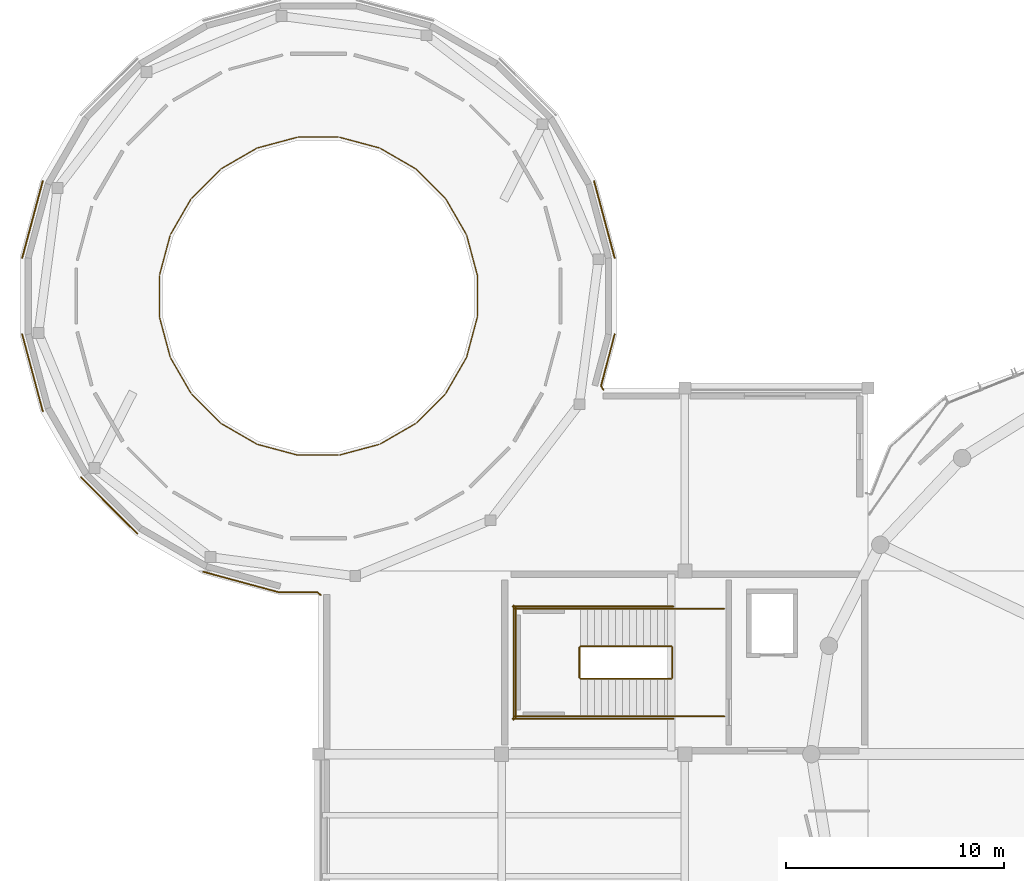
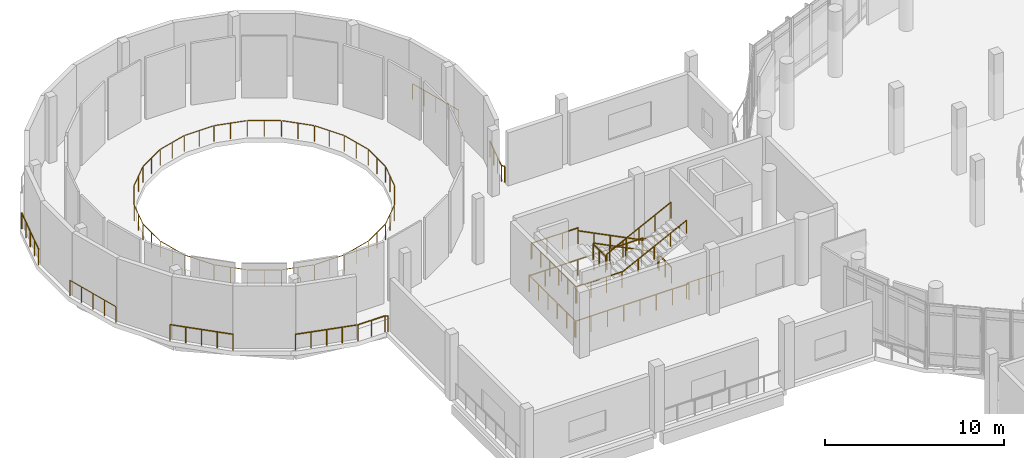
# One storey, part 41 of 46: 21 railings.
"""IFC4 building model written with IfcOpenShell, lengths in metres."""

from ifc_helpers import new_model, si_unit, derived_unit, direction, frame, origin, origin_2d, place, context, subcontext, project, spatial, circle, extrude, material, type_object, element, save


model = new_model("IFC4")

# Units and contexts
model_context = context("Model", 3, precision=1e-05, world=origin(), true_north=direction((0.0, 1.0)))
body_context = subcontext(model_context, "Body", "Model", "MODEL_VIEW")
ifc_project = project(units=[si_unit("LENGTHUNIT", "METRE"), si_unit("AREAUNIT", "SQUARE_METRE"), si_unit("VOLUMEUNIT", "CUBIC_METRE"), si_unit("PLANEANGLEUNIT", "RADIAN"), si_unit("MASSUNIT", "GRAM", prefix="KILO"), derived_unit("THERMALTRANSMITTANCEUNIT", [(si_unit("POWERUNIT", "WATT"), 1), (si_unit("LENGTHUNIT", "METRE"), -2), (si_unit("THERMODYNAMICTEMPERATUREUNIT", "KELVIN"), -1)])], contexts=[model_context])

# Site, building, storey
site_placement = place(None, origin())
site = spatial("IfcSite", under=ifc_project, at=site_placement, CompositionType="ELEMENT")
building_placement = place(site_placement, origin())
building = spatial("IfcBuilding", under=site, at=building_placement, Name="Elbkamm Science Centre", CompositionType="ELEMENT")
storey_placement = place(building_placement, frame((0.0, 0.0, 9.89990234375)))
storey = spatial("IfcBuildingStorey", under=building, at=storey_placement, Name="L02", CompositionType="ELEMENT", Elevation=9.89990234375)

# Railings
ifc_material = material(Name="Stainless steel EN 1.4401", Category="steel")
railing_type_1 = type_object("IfcRailingType", Name="RAIL-EXT-GUARD-1100", PredefinedType="GUARDRAIL", material=ifc_material)
railing_1_placement = place(storey_placement, frame((16.89990234375, 74.497314453125, 0.0)))
element("IfcRailing", 1, at=railing_1_placement, inside=storey, type_object=railing_type_1, Name="L02 Slab Edge Perimeter Guard 042", PredefinedType="GUARDRAIL", context=body_context, shape_type="SweptSolid", body=[
    extrude(circle(Radius=0.02392578125, at=origin_2d()), frame((0.0, 0.0, 1.078125), z_axis=(-0.756733915301, 0.653723015836, 0.0), x_axis=(-0.653723015836, -0.756733915301, 0.0)), (0.0, 0.0, 1.0), 0.15478515625),
    extrude(circle(Radius=0.02392578125, at=origin_2d()), frame((-0.169921875, 0.120849609375, 1.078125), z_axis=(-1.0, 0.0, 0.0), x_axis=(0.0, -1.0, 0.0)), (0.0, 0.0, 1.0), 1.68798828125),
    extrude(circle(Radius=0.02392578125, at=origin_2d()), frame((-1.9169921875, 0.128662109375, 1.078125), z_axis=(-0.965251951048, 0.261321011397, 0.0), x_axis=(-0.261321011397, -0.965251951048, 0.0)), (0.0, 0.0, 1.0), 3.581787109375),
    extrude(circle(Radius=0.02001953125, at=origin_2d()), origin(), (0.0, 0.0, 1.0), 1.048095703125),
    extrude(circle(Radius=0.02001953125, at=origin_2d()), frame((-0.139892578125, 0.120849609375, 0.0)), (0.0, 0.0, 1.0), 1.048095703125),
    extrude(circle(Radius=0.02001953125, at=origin_2d()), frame((-1.013916015625, 0.120849609375, 0.0)), (0.0, 0.0, 1.0), 1.048095703125),
    extrude(circle(Radius=0.02001953125, at=origin_2d()), frame((-1.887939453125, 0.120849609375, 0.0)), (0.0, 0.0, 1.0), 1.048095703125),
    extrude(circle(Radius=0.02001953125, at=origin_2d()), frame((-2.759521484375, 0.35693359375, 0.0)), (0.0, 0.0, 1.0), 1.048095703125),
    extrude(circle(Radius=0.02001953125, at=origin_2d()), frame((-3.631103515625, 0.5927734375, 0.0)), (0.0, 0.0, 1.0), 1.048095703125),
    extrude(circle(Radius=0.02001953125, at=origin_2d()), frame((-4.502685546875, 0.82861328125, 0.0)), (0.0, 0.0, 1.0), 1.048095703125),
    extrude(circle(Radius=0.02001953125, at=origin_2d()), frame((-5.374267578125, 1.064697265625, 0.0)), (0.0, 0.0, 1.0), 1.048095703125),
])
railing_2_placement = place(storey_placement, frame((8.492431640625, 77.313232421875, 0.0)))
element("IfcRailing", 2, at=railing_2_placement, inside=storey, type_object=railing_type_1, Name="L02 Slab Edge Perimeter Guard 043", PredefinedType="GUARDRAIL", context=body_context, shape_type="SweptSolid", body=[
    extrude(circle(Radius=0.02392578125, at=origin_2d()), frame((0.0, 0.0, 1.078125), z_axis=(-0.707106781187, 0.707106781187, 0.0), x_axis=(-0.707106781187, -0.707106781187, 0.0)), (0.0, 0.0, 1.0), 3.6474609375),
    extrude(circle(Radius=0.02001953125, at=origin_2d()), origin(), (0.0, 0.0, 1.0), 1.048095703125),
    extrude(circle(Radius=0.02001953125, at=origin_2d()), frame((-0.644775390625, 0.644775390625, 0.0)), (0.0, 0.0, 1.0), 1.048095703125),
    extrude(circle(Radius=0.02001953125, at=origin_2d()), frame((-1.28955078125, 1.28955078125, 0.0)), (0.0, 0.0, 1.0), 1.048095703125),
    extrude(circle(Radius=0.02001953125, at=origin_2d()), frame((-1.934326171875, 1.934326171875, 0.0)), (0.0, 0.0, 1.0), 1.048095703125),
    extrude(circle(Radius=0.02001953125, at=origin_2d()), frame((-2.5791015625, 2.5791015625, 0.0)), (0.0, 0.0, 1.0), 1.048095703125),
])
railing_3_placement = place(storey_placement, frame((4.162109375, 82.92578125, 0.0)))
element("IfcRailing", 3, at=railing_3_placement, inside=storey, type_object=railing_type_1, Name="L02 Slab Edge Perimeter Guard 044", PredefinedType="GUARDRAIL", context=body_context, shape_type="SweptSolid", body=[
    extrude(circle(Radius=0.02392578125, at=origin_2d()), frame((0.0, 0.0, 1.078125), z_axis=(-0.258849844435, 0.965917573106, 0.0), x_axis=(-0.965917573106, -0.258849844435, 0.0)), (0.0, 0.0, 1.0), 3.647216796875),
    extrude(circle(Radius=0.02001953125, at=origin_2d()), origin(), (0.0, 0.0, 1.0), 1.048095703125),
    extrude(circle(Radius=0.02001953125, at=origin_2d()), frame((-0.236083984375, 0.880859375, 0.0)), (0.0, 0.0, 1.0), 1.048095703125),
    extrude(circle(Radius=0.02001953125, at=origin_2d()), frame((-0.47216796875, 1.761474609375, 0.0)), (0.0, 0.0, 1.0), 1.048095703125),
    extrude(circle(Radius=0.02001953125, at=origin_2d()), frame((-0.7080078125, 2.64208984375, 0.0)), (0.0, 0.0, 1.0), 1.048095703125),
    extrude(circle(Radius=0.02001953125, at=origin_2d()), frame((-0.944091796875, 3.52294921875, 0.0)), (0.0, 0.0, 1.0), 1.048095703125),
])
railing_4_placement = place(storey_placement, frame((3.218017578125, 89.951416015625, 0.0)))
element("IfcRailing", 4, at=railing_4_placement, inside=storey, type_object=railing_type_1, Name="L02 Slab Edge Perimeter Guard 045", PredefinedType="GUARDRAIL", context=body_context, shape_type="SweptSolid", body=[
    extrude(circle(Radius=0.02392578125, at=origin_2d()), frame((0.0, 0.0, 1.078125), z_axis=(0.258849844435, 0.965917573106, 0.0), x_axis=(-0.965917573106, 0.258849844435, 0.0)), (0.0, 0.0, 1.0), 3.647216796875),
    extrude(circle(Radius=0.02001953125, at=origin_2d()), origin(), (0.0, 0.0, 1.0), 1.048095703125),
    extrude(circle(Radius=0.02001953125, at=origin_2d()), frame((0.236083984375, 0.880859375, 0.0)), (0.0, 0.0, 1.0), 1.048095703125),
    extrude(circle(Radius=0.02001953125, at=origin_2d()), frame((0.47216796875, 1.761474609375, 0.0)), (0.0, 0.0, 1.0), 1.048095703125),
    extrude(circle(Radius=0.02001953125, at=origin_2d()), frame((0.7080078125, 2.64208984375, 0.0)), (0.0, 0.0, 1.0), 1.048095703125),
    extrude(circle(Radius=0.02001953125, at=origin_2d()), frame((0.944091796875, 3.52294921875, 0.0)), (0.0, 0.0, 1.0), 1.048095703125),
])
railing_5_placement = place(storey_placement, frame((29.43798828125, 93.474365234375, 0.0)))
element("IfcRailing", 5, at=railing_5_placement, inside=storey, type_object=railing_type_1, Name="L02 Slab Edge Perimeter Guard 050", PredefinedType="GUARDRAIL", context=body_context, shape_type="SweptSolid", body=[
    extrude(circle(Radius=0.02392578125, at=origin_2d()), frame((0.0, 0.0, 1.078125), z_axis=(0.258787389731, -0.965934307764, 0.0), x_axis=(0.965934307764, 0.258787389731, 0.0)), (0.0, 0.0, 1.0), 3.647216796875),
    extrude(circle(Radius=0.02001953125, at=origin_2d()), origin(), (0.0, 0.0, 1.0), 1.048095703125),
    extrude(circle(Radius=0.02001953125, at=origin_2d()), frame((0.23583984375, -0.880859375, 0.0)), (0.0, 0.0, 1.0), 1.048095703125),
    extrude(circle(Radius=0.02001953125, at=origin_2d()), frame((0.471923828125, -1.761474609375, 0.0)), (0.0, 0.0, 1.0), 1.048095703125),
    extrude(circle(Radius=0.02001953125, at=origin_2d()), frame((0.7080078125, -2.64208984375, 0.0)), (0.0, 0.0, 1.0), 1.048095703125),
    extrude(circle(Radius=0.02001953125, at=origin_2d()), frame((0.94384765625, -3.52294921875, 0.0)), (0.0, 0.0, 1.0), 1.048095703125),
])
railing_6_placement = place(storey_placement, frame((30.3818359375, 86.44873046875, 0.0)))
element("IfcRailing", 6, at=railing_6_placement, inside=storey, type_object=railing_type_1, Name="L02 Slab Edge Perimeter Guard 051", PredefinedType="GUARDRAIL", context=body_context, shape_type="SweptSolid", body=[
    extrude(circle(Radius=0.02392578125, at=origin_2d()), frame((0.0, 0.0, 1.078125), z_axis=(-0.255017309987, -0.966936487887, 0.0), x_axis=(0.966936487887, -0.255017309987, 0.0)), (0.0, 0.0, 1.0), 2.423583984375),
    extrude(circle(Radius=0.02392578125, at=origin_2d()), frame((-0.609130859375, -2.397705078125, 1.078125), z_axis=(0.549616501476, -0.835417082244, 0.0), x_axis=(0.835417082244, 0.549616501476, 0.0)), (0.0, 0.0, 1.0), 0.180908203125),
    extrude(circle(Radius=0.02001953125, at=origin_2d()), origin(), (0.0, 0.0, 1.0), 1.048095703125),
    extrude(circle(Radius=0.02001953125, at=origin_2d()), frame((-0.20849609375, -0.790771484375, 0.0)), (0.0, 0.0, 1.0), 1.048095703125),
    extrude(circle(Radius=0.02001953125, at=origin_2d()), frame((-0.417236328125, -1.581787109375, 0.0)), (0.0, 0.0, 1.0), 1.048095703125),
    extrude(circle(Radius=0.02001953125, at=origin_2d()), frame((-0.625732421875, -2.37255859375, 0.0)), (0.0, 0.0, 1.0), 1.048095703125),
    extrude(circle(Radius=0.02001953125, at=origin_2d()), frame((-0.509765625, -2.548828125, 0.0)), (0.0, 0.0, 1.0), 1.048095703125),
])
railing_type_2 = type_object("IfcRailingType", Name="RAIL-GUARD-1100", PredefinedType="GUARDRAIL", material=ifc_material)
railing_7_placement = place(storey_placement, frame((32.97998046875, 72.14990234375, 0.160888671875)))
element("IfcRailing", 7, at=railing_7_placement, inside=storey, type_object=railing_type_2, Name="L02 ST-C1 stair guard 1", PredefinedType="GUARDRAIL", context=body_context, shape_type="SweptSolid", body=[
    extrude(circle(Radius=0.02392578125, at=origin_2d()), frame((0.0, 0.0, 1.078125), z_axis=(-0.893639106791, 0.0, 0.448786304173), x_axis=(0.0, -1.0, 0.0)), (0.0, 0.0, 1.0), 4.655029296875),
    extrude(circle(Radius=0.02001953125, at=origin_2d()), origin(), (0.0, 0.0, 1.0), 1.048095703125),
    extrude(circle(Radius=0.02001953125, at=origin_2d()), frame((-1.0400390625, 0.0, 0.522216796875)), (0.0, 0.0, 1.0), 1.048095703125),
    extrude(circle(Radius=0.02001953125, at=origin_2d()), frame((-2.080078125, 0.0, 1.04443359375)), (0.0, 0.0, 1.0), 1.048095703125),
    extrude(circle(Radius=0.02001953125, at=origin_2d()), frame((-3.119873046875, 0.0, 1.56689453125)), (0.0, 0.0, 1.0), 1.048095703125),
    extrude(circle(Radius=0.02001953125, at=origin_2d()), frame((-4.159912109375, 0.0, 2.089111328125)), (0.0, 0.0, 1.0), 1.048095703125),
])
railing_8_placement = place(storey_placement, frame((28.77001953125, 72.10009765625, 2.25)))
element("IfcRailing", 8, at=railing_8_placement, inside=storey, type_object=railing_type_2, Name="L02 ST-C1 stair guard 2", PredefinedType="GUARDRAIL", context=body_context, shape_type="SweptSolid", body=[
    extrude(circle(Radius=0.02392578125, at=origin_2d()), frame((0.0, 0.0, 1.078125), z_axis=(0.0, -1.0, 0.0), x_axis=(1.0, 0.0, 0.0)), (0.0, 0.0, 1.0), 1.400146484375),
    extrude(circle(Radius=0.02001953125, at=origin_2d()), origin(), (0.0, 0.0, 1.0), 1.048095703125),
    extrude(circle(Radius=0.02001953125, at=origin_2d()), frame((0.0, -0.7001953125, 0.0)), (0.0, 0.0, 1.0), 1.048095703125),
    extrude(circle(Radius=0.02001953125, at=origin_2d()), frame((0.0, -1.400146484375, 0.0)), (0.0, 0.0, 1.0), 1.048095703125),
])
for number, where, name in (
    (9, (28.820068359375, 73.8701171875, 2.25), "L02 ST-C1 stair guard 3"),
    (10, (28.820068359375, 68.929931640625, 2.25), "L02 ST-C1 stair guard 4"),
):
    element("IfcRailing", number, at=place(storey_placement, frame(where)), inside=storey, type_object=railing_type_2, Name=name, PredefinedType="GUARDRAIL", context=body_context, shape_type="SweptSolid", body=[
        extrude(circle(Radius=0.02392578125, at=origin_2d()), frame((0.0, 0.0, 1.078125), z_axis=(-1.0, 0.0, 0.0), x_axis=(0.0, -1.0, 0.0)), (0.0, 0.0, 1.0), 3.02001953125),
        extrude(circle(Radius=0.02001953125, at=origin_2d()), origin(), (0.0, 0.0, 1.0), 1.048095703125),
        extrude(circle(Radius=0.02001953125, at=origin_2d()), frame((-1.006591796875, 0.0, 0.0)), (0.0, 0.0, 1.0), 1.048095703125),
        extrude(circle(Radius=0.02001953125, at=origin_2d()), frame((-2.013427734375, 0.0, 0.0)), (0.0, 0.0, 1.0), 1.048095703125),
        extrude(circle(Radius=0.02001953125, at=origin_2d()), frame((-3.02001953125, 0.0, 0.0)), (0.0, 0.0, 1.0), 1.048095703125),
    ])
railing_9_placement = place(storey_placement, frame((25.85009765625, 73.919921875, 2.25)))
element("IfcRailing", 11, at=railing_9_placement, inside=storey, type_object=railing_type_2, Name="L02 ST-C1 stair guard 5", PredefinedType="GUARDRAIL", context=body_context, shape_type="SweptSolid", body=[
    extrude(circle(Radius=0.02392578125, at=origin_2d()), frame((0.0, 0.0, 1.078125), z_axis=(0.0, -1.0, 0.0), x_axis=(1.0, 0.0, 0.0)), (0.0, 0.0, 1.0), 5.0400390625),
    extrude(circle(Radius=0.02001953125, at=origin_2d()), origin(), (0.0, 0.0, 1.0), 1.048095703125),
    extrude(circle(Radius=0.02001953125, at=origin_2d()), frame((0.0, -1.008056640625, 0.0)), (0.0, 0.0, 1.0), 1.048095703125),
    extrude(circle(Radius=0.02001953125, at=origin_2d()), frame((0.0, -2.01611328125, 0.0)), (0.0, 0.0, 1.0), 1.048095703125),
    extrude(circle(Radius=0.02001953125, at=origin_2d()), frame((0.0, -3.02392578125, 0.0)), (0.0, 0.0, 1.0), 1.048095703125),
    extrude(circle(Radius=0.02001953125, at=origin_2d()), frame((0.0, -4.031982421875, 0.0)), (0.0, 0.0, 1.0), 1.048095703125),
    extrude(circle(Radius=0.02001953125, at=origin_2d()), frame((0.0, -5.0400390625, 0.0)), (0.0, 0.0, 1.0), 1.048095703125),
])
railing_10_placement = place(storey_placement, frame((28.820068359375, 70.64990234375, 2.410888671875)))
element("IfcRailing", 12, at=railing_10_placement, inside=storey, type_object=railing_type_2, Name="L02 ST-C1 stair guard 6", PredefinedType="GUARDRAIL", context=body_context, shape_type="SweptSolid", body=[
    extrude(circle(Radius=0.02392578125, at=origin_2d()), frame((0.0, 0.0, 1.078125), z_axis=(0.893639106791, 0.0, 0.448786304173), x_axis=(0.0, 1.0, 0.0)), (0.0, 0.0, 1.0), 4.655029296875),
    extrude(circle(Radius=0.02001953125, at=origin_2d()), origin(), (0.0, 0.0, 1.0), 1.048095703125),
    extrude(circle(Radius=0.02001953125, at=origin_2d()), frame((1.0400390625, 0.0, 0.522216796875)), (0.0, 0.0, 1.0), 1.048095703125),
    extrude(circle(Radius=0.02001953125, at=origin_2d()), frame((2.080078125, 0.0, 1.04443359375)), (0.0, 0.0, 1.0), 1.048095703125),
    extrude(circle(Radius=0.02001953125, at=origin_2d()), frame((3.119873046875, 0.0, 1.56689453125)), (0.0, 0.0, 1.0), 1.048095703125),
    extrude(circle(Radius=0.02001953125, at=origin_2d()), frame((4.159912109375, 0.0, 2.089111328125)), (0.0, 0.0, 1.0), 1.048095703125),
])
railing_11_placement = place(storey_placement, frame((33.030029296875, 72.10009765625, 0.0)))
element("IfcRailing", 13, at=railing_11_placement, inside=storey, type_object=railing_type_2, Name="L02 ST-C1 stair guard 7", PredefinedType="GUARDRAIL", context=body_context, shape_type="SweptSolid", body=[
    extrude(circle(Radius=0.02392578125, at=origin_2d()), frame((0.0, 0.0, 1.078125), z_axis=(0.0, -1.0, 0.0), x_axis=(1.0, 0.0, 0.0)), (0.0, 0.0, 1.0), 1.400146484375),
    extrude(circle(Radius=0.02001953125, at=origin_2d()), origin(), (0.0, 0.0, 1.0), 1.048095703125),
    extrude(circle(Radius=0.02001953125, at=origin_2d()), frame((0.0, -0.7001953125, 0.0)), (0.0, 0.0, 1.0), 1.048095703125),
    extrude(circle(Radius=0.02001953125, at=origin_2d()), frame((0.0, -1.400146484375, 0.0)), (0.0, 0.0, 1.0), 1.048095703125),
])
for number, where, name in (
    (14, (35.39990234375, 73.8701171875, 0.0), "L02 ST-C1 stair guard 8"),
    (15, (35.39990234375, 68.929931640625, 0.0), "L02 ST-C1 stair guard 9"),
):
    element("IfcRailing", number, at=place(storey_placement, frame(where)), inside=storey, type_object=railing_type_2, Name=name, PredefinedType="GUARDRAIL", context=body_context, shape_type="SweptSolid", body=[
        extrude(circle(Radius=0.02392578125, at=origin_2d()), frame((0.0, 0.0, 1.078125), z_axis=(-1.0, 0.0, 0.0), x_axis=(0.0, -1.0, 0.0)), (0.0, 0.0, 1.0), 2.419921875),
        extrude(circle(Radius=0.02001953125, at=origin_2d()), origin(), (0.0, 0.0, 1.0), 1.048095703125),
        extrude(circle(Radius=0.02001953125, at=origin_2d()), frame((-0.806640625, 0.0, 0.0)), (0.0, 0.0, 1.0), 1.048095703125),
        extrude(circle(Radius=0.02001953125, at=origin_2d()), frame((-1.61328125, 0.0, 0.0)), (0.0, 0.0, 1.0), 1.048095703125),
        extrude(circle(Radius=0.02001953125, at=origin_2d()), frame((-2.419921875, 0.0, 0.0)), (0.0, 0.0, 1.0), 1.048095703125),
    ])
for number, where, name in (
    (16, (33.080078125, 73.969970703125, 0.0), "L02 ST-C1 stair guard 10"),
    (17, (33.080078125, 68.830078125, 0.0), "L02 ST-C1 stair guard 11"),
):
    element("IfcRailing", number, at=place(storey_placement, frame(where)), inside=storey, type_object=railing_type_2, Name=name, PredefinedType="GUARDRAIL", context=body_context, shape_type="SweptSolid", body=[
        extrude(circle(Radius=0.02392578125, at=origin_2d()), frame((0.0, 0.0, 1.078125), z_axis=(-1.0, 0.0, 0.0), x_axis=(0.0, -1.0, 0.0)), (0.0, 0.0, 1.0), 7.380126953125),
        extrude(circle(Radius=0.02001953125, at=origin_2d()), origin(), (0.0, 0.0, 1.0), 1.048095703125),
        extrude(circle(Radius=0.02001953125, at=origin_2d()), frame((-1.05419921875, 0.0, 0.0)), (0.0, 0.0, 1.0), 1.048095703125),
        extrude(circle(Radius=0.02001953125, at=origin_2d()), frame((-2.108642578125, 0.0, 0.0)), (0.0, 0.0, 1.0), 1.048095703125),
        extrude(circle(Radius=0.02001953125, at=origin_2d()), frame((-3.162841796875, 0.0, 0.0)), (0.0, 0.0, 1.0), 1.048095703125),
        extrude(circle(Radius=0.02001953125, at=origin_2d()), frame((-4.21728515625, 0.0, 0.0)), (0.0, 0.0, 1.0), 1.048095703125),
        extrude(circle(Radius=0.02001953125, at=origin_2d()), frame((-5.271484375, 0.0, 0.0)), (0.0, 0.0, 1.0), 1.048095703125),
        extrude(circle(Radius=0.02001953125, at=origin_2d()), frame((-6.325927734375, 0.0, 0.0)), (0.0, 0.0, 1.0), 1.048095703125),
        extrude(circle(Radius=0.02001953125, at=origin_2d()), frame((-7.380126953125, 0.0, 0.0)), (0.0, 0.0, 1.0), 1.048095703125),
    ])
railing_12_placement = place(storey_placement, frame((25.75, 74.02001953125, 0.0)))
element("IfcRailing", 18, at=railing_12_placement, inside=storey, type_object=railing_type_2, Name="L02 ST-C1 stair guard 12", PredefinedType="GUARDRAIL", context=body_context, shape_type="SweptSolid", body=[
    extrude(circle(Radius=0.02392578125, at=origin_2d()), frame((0.0, 0.0, 1.078125), z_axis=(0.0, -1.0, 0.0), x_axis=(1.0, 0.0, 0.0)), (0.0, 0.0, 1.0), 5.239990234375),
    extrude(circle(Radius=0.02001953125, at=origin_2d()), origin(), (0.0, 0.0, 1.0), 1.048095703125),
    extrude(circle(Radius=0.02001953125, at=origin_2d()), frame((0.0, -1.048095703125, 0.0)), (0.0, 0.0, 1.0), 1.048095703125),
    extrude(circle(Radius=0.02001953125, at=origin_2d()), frame((0.0, -2.095947265625, 0.0)), (0.0, 0.0, 1.0), 1.048095703125),
    extrude(circle(Radius=0.02001953125, at=origin_2d()), frame((0.0, -3.14404296875, 0.0)), (0.0, 0.0, 1.0), 1.048095703125),
    extrude(circle(Radius=0.02001953125, at=origin_2d()), frame((0.0, -4.19189453125, 0.0)), (0.0, 0.0, 1.0), 1.048095703125),
    extrude(circle(Radius=0.02001953125, at=origin_2d()), frame((0.0, -5.239990234375, 0.0)), (0.0, 0.0, 1.0), 1.048095703125),
])
railing_13_placement = place(storey_placement, frame((24.087158203125, 89.159423828125, 0.0)))
element("IfcRailing", 19, at=railing_13_placement, inside=storey, type_object=railing_type_2, Name="L02 Planetarium Acoustic Gallery Void Guardrail", PredefinedType="GUARDRAIL", context=body_context, shape_type="SweptSolid", body=[
    extrude(circle(Radius=0.02392578125, at=origin_2d()), frame((0.0, 0.0, 1.078125), z_axis=(-0.258818769697, 0.965925900084, 0.0), x_axis=(-0.965925900084, -0.258818769697, 0.0)), (0.0, 0.0, 1.0), 1.888671875),
    extrude(circle(Radius=0.02392578125, at=origin_2d()), frame((-0.511474609375, 1.879150390625, 1.078125), z_axis=(-0.500052873733, 0.865994874968, 0.0), x_axis=(-0.865994874968, -0.500052873733, 0.0)), (0.0, 0.0, 1.0), 1.858642578125),
    extrude(circle(Radius=0.02392578125, at=origin_2d()), frame((-1.477294921875, 3.5361328125, 1.078125), z_axis=(-0.707106781187, 0.707106781187, 0.0), x_axis=(-0.707106781187, -0.707106781187, 0.0)), (0.0, 0.0, 1.0), 1.858642578125),
    extrude(circle(Radius=0.02392578125, at=origin_2d()), frame((-2.838623046875, 4.886474609375, 1.078125), z_axis=(-0.865994874968, 0.500052873733, 0.0), x_axis=(-0.500052873733, -0.865994874968, 0.0)), (0.0, 0.0, 1.0), 1.858642578125),
    extrude(circle(Radius=0.02392578125, at=origin_2d()), frame((-4.50341796875, 5.8388671875, 1.078125), z_axis=(-0.965925900084, 0.258818769697, 0.0), x_axis=(-0.258818769697, -0.965925900084, 0.0)), (0.0, 0.0, 1.0), 1.858642578125),
    extrude(circle(Radius=0.02392578125, at=origin_2d()), frame((-6.357666015625, 6.32763671875, 1.078125), z_axis=(-1.0, 0.0, 0.0), x_axis=(0.0, -1.0, 0.0)), (0.0, 0.0, 1.0), 1.85888671875),
    extrude(circle(Radius=0.02392578125, at=origin_2d()), frame((-8.275634765625, 6.31982421875, 1.078125), z_axis=(-0.965925900084, -0.258818769697, 0.0), x_axis=(0.258818769697, -0.965925900084, 0.0)), (0.0, 0.0, 1.0), 1.858642578125),
    extrude(circle(Radius=0.02392578125, at=origin_2d()), frame((-10.125732421875, 5.816162109375, 1.078125), z_axis=(-0.865994874968, -0.500052873733, 0.0), x_axis=(0.500052873733, -0.865994874968, 0.0)), (0.0, 0.0, 1.0), 1.858642578125),
    extrude(circle(Radius=0.02392578125, at=origin_2d()), frame((-11.78271484375, 4.850341796875, 1.078125), z_axis=(-0.707106781187, -0.707106781187, 0.0), x_axis=(0.707106781187, -0.707106781187, 0.0)), (0.0, 0.0, 1.0), 1.858642578125),
    extrude(circle(Radius=0.02392578125, at=origin_2d()), frame((-13.133056640625, 3.489013671875, 1.078125), z_axis=(-0.500052873733, -0.865994874968, 0.0), x_axis=(0.865994874968, -0.500052873733, 0.0)), (0.0, 0.0, 1.0), 1.858642578125),
    extrude(circle(Radius=0.02392578125, at=origin_2d()), frame((-14.08544921875, 1.82421875, 1.078125), z_axis=(-0.258818769697, -0.965925900084, 0.0), x_axis=(0.965925900084, -0.258818769697, 0.0)), (0.0, 0.0, 1.0), 1.858642578125),
    extrude(circle(Radius=0.02392578125, at=origin_2d()), frame((-14.57421875, -0.030029296875, 1.078125), z_axis=(0.0, -1.0, 0.0), x_axis=(1.0, 0.0, 0.0)), (0.0, 0.0, 1.0), 1.85888671875),
    extrude(circle(Radius=0.02392578125, at=origin_2d()), frame((-14.56640625, -1.947998046875, 1.078125), z_axis=(0.258818769697, -0.965925900084, 0.0), x_axis=(0.965925900084, 0.258818769697, 0.0)), (0.0, 0.0, 1.0), 1.858642578125),
    extrude(circle(Radius=0.02392578125, at=origin_2d()), frame((-14.062744140625, -3.798095703125, 1.078125), z_axis=(0.500052873733, -0.865994874968, 0.0), x_axis=(0.865994874968, 0.500052873733, 0.0)), (0.0, 0.0, 1.0), 1.858642578125),
    extrude(circle(Radius=0.02392578125, at=origin_2d()), frame((-13.096923828125, -5.455078125, 1.078125), z_axis=(0.707106781187, -0.707106781187, 0.0), x_axis=(0.707106781187, 0.707106781187, 0.0)), (0.0, 0.0, 1.0), 1.858642578125),
    extrude(circle(Radius=0.02392578125, at=origin_2d()), frame((-11.735595703125, -6.805419921875, 1.078125), z_axis=(0.865994874968, -0.500052873733, 0.0), x_axis=(0.500052873733, 0.865994874968, 0.0)), (0.0, 0.0, 1.0), 1.858642578125),
    extrude(circle(Radius=0.02392578125, at=origin_2d()), frame((-10.07080078125, -7.7578125, 1.078125), z_axis=(0.965925900084, -0.258818769697, 0.0), x_axis=(0.258818769697, 0.965925900084, 0.0)), (0.0, 0.0, 1.0), 1.858642578125),
    extrude(circle(Radius=0.02392578125, at=origin_2d()), frame((-8.216552734375, -8.24658203125, 1.078125), z_axis=(1.0, 0.0, 0.0), x_axis=(0.0, 1.0, 0.0)), (0.0, 0.0, 1.0), 1.85888671875),
    extrude(circle(Radius=0.02392578125, at=origin_2d()), frame((-6.298583984375, -8.23876953125, 1.078125), z_axis=(0.965925900084, 0.258818769697, 0.0), x_axis=(-0.258818769697, 0.965925900084, 0.0)), (0.0, 0.0, 1.0), 1.858642578125),
    extrude(circle(Radius=0.02392578125, at=origin_2d()), frame((-4.448486328125, -7.735107421875, 1.078125), z_axis=(0.865994874968, 0.500052873733, 0.0), x_axis=(-0.500052873733, 0.865994874968, 0.0)), (0.0, 0.0, 1.0), 1.858642578125),
    extrude(circle(Radius=0.02392578125, at=origin_2d()), frame((-2.79150390625, -6.769287109375, 1.078125), z_axis=(0.707106781187, 0.707106781187, 0.0), x_axis=(-0.707106781187, 0.707106781187, 0.0)), (0.0, 0.0, 1.0), 1.858642578125),
    extrude(circle(Radius=0.02392578125, at=origin_2d()), frame((-1.441162109375, -5.407958984375, 1.078125), z_axis=(0.500052873733, 0.865994874968, 0.0), x_axis=(-0.865994874968, 0.500052873733, 0.0)), (0.0, 0.0, 1.0), 1.858642578125),
    extrude(circle(Radius=0.02392578125, at=origin_2d()), frame((-0.48876953125, -3.7431640625, 1.078125), z_axis=(0.258818769697, 0.965925900084, 0.0), x_axis=(-0.965925900084, 0.258818769697, 0.0)), (0.0, 0.0, 1.0), 1.858642578125),
    extrude(circle(Radius=0.02392578125, at=origin_2d()), frame((0.0, -1.888916015625, 1.078125), z_axis=(0.0, 1.0, 0.0), x_axis=(-1.0, 0.0, 0.0)), (0.0, 0.0, 1.0), 1.888916015625),
    extrude(circle(Radius=0.02001953125, at=origin_2d()), origin(), (0.0, 0.0, 1.0), 1.048095703125),
    extrude(circle(Radius=0.02001953125, at=origin_2d()), frame((-0.248291015625, 0.9267578125, 0.0)), (0.0, 0.0, 1.0), 1.048095703125),
    extrude(circle(Radius=0.02001953125, at=origin_2d()), frame((-0.49658203125, 1.853271484375, 0.0)), (0.0, 0.0, 1.0), 1.048095703125),
    extrude(circle(Radius=0.02001953125, at=origin_2d()), frame((-0.976318359375, 2.68408203125, 0.0)), (0.0, 0.0, 1.0), 1.048095703125),
    extrude(circle(Radius=0.02001953125, at=origin_2d()), frame((-1.4560546875, 3.514892578125, 0.0)), (0.0, 0.0, 1.0), 1.048095703125),
    extrude(circle(Radius=0.02001953125, at=origin_2d()), frame((-2.13427734375, 4.193359375, 0.0)), (0.0, 0.0, 1.0), 1.048095703125),
    extrude(circle(Radius=0.02001953125, at=origin_2d()), frame((-2.812744140625, 4.87158203125, 0.0)), (0.0, 0.0, 1.0), 1.048095703125),
    extrude(circle(Radius=0.02001953125, at=origin_2d()), frame((-3.6435546875, 5.351318359375, 0.0)), (0.0, 0.0, 1.0), 1.048095703125),
    extrude(circle(Radius=0.02001953125, at=origin_2d()), frame((-4.474365234375, 5.8310546875, 0.0)), (0.0, 0.0, 1.0), 1.048095703125),
    extrude(circle(Radius=0.02001953125, at=origin_2d()), frame((-5.40087890625, 6.079345703125, 0.0)), (0.0, 0.0, 1.0), 1.048095703125),
    extrude(circle(Radius=0.02001953125, at=origin_2d()), frame((-6.32763671875, 6.32763671875, 0.0)), (0.0, 0.0, 1.0), 1.048095703125),
    extrude(circle(Radius=0.02001953125, at=origin_2d()), frame((-7.287109375, 6.32763671875, 0.0)), (0.0, 0.0, 1.0), 1.048095703125),
    extrude(circle(Radius=0.02001953125, at=origin_2d()), frame((-8.24658203125, 6.32763671875, 0.0)), (0.0, 0.0, 1.0), 1.048095703125),
    extrude(circle(Radius=0.02001953125, at=origin_2d()), frame((-9.17333984375, 6.079345703125, 0.0)), (0.0, 0.0, 1.0), 1.048095703125),
    extrude(circle(Radius=0.02001953125, at=origin_2d()), frame((-10.099853515625, 5.8310546875, 0.0)), (0.0, 0.0, 1.0), 1.048095703125),
    extrude(circle(Radius=0.02001953125, at=origin_2d()), frame((-10.9306640625, 5.351318359375, 0.0)), (0.0, 0.0, 1.0), 1.048095703125),
    extrude(circle(Radius=0.02001953125, at=origin_2d()), frame((-11.761474609375, 4.87158203125, 0.0)), (0.0, 0.0, 1.0), 1.048095703125),
    extrude(circle(Radius=0.02001953125, at=origin_2d()), frame((-12.43994140625, 4.193359375, 0.0)), (0.0, 0.0, 1.0), 1.048095703125),
    extrude(circle(Radius=0.02001953125, at=origin_2d()), frame((-13.1181640625, 3.514892578125, 0.0)), (0.0, 0.0, 1.0), 1.048095703125),
    extrude(circle(Radius=0.02001953125, at=origin_2d()), frame((-13.597900390625, 2.68408203125, 0.0)), (0.0, 0.0, 1.0), 1.048095703125),
    extrude(circle(Radius=0.02001953125, at=origin_2d()), frame((-14.07763671875, 1.853271484375, 0.0)), (0.0, 0.0, 1.0), 1.048095703125),
    extrude(circle(Radius=0.02001953125, at=origin_2d()), frame((-14.325927734375, 0.9267578125, 0.0)), (0.0, 0.0, 1.0), 1.048095703125),
    extrude(circle(Radius=0.02001953125, at=origin_2d()), frame((-14.57421875, 0.0, 0.0)), (0.0, 0.0, 1.0), 1.048095703125),
    extrude(circle(Radius=0.02001953125, at=origin_2d()), frame((-14.57421875, -0.95947265625, 0.0)), (0.0, 0.0, 1.0), 1.048095703125),
    extrude(circle(Radius=0.02001953125, at=origin_2d()), frame((-14.57421875, -1.9189453125, 0.0)), (0.0, 0.0, 1.0), 1.048095703125),
    extrude(circle(Radius=0.02001953125, at=origin_2d()), frame((-14.325927734375, -2.845703125, 0.0)), (0.0, 0.0, 1.0), 1.048095703125),
    extrude(circle(Radius=0.02001953125, at=origin_2d()), frame((-14.07763671875, -3.772216796875, 0.0)), (0.0, 0.0, 1.0), 1.048095703125),
    extrude(circle(Radius=0.02001953125, at=origin_2d()), frame((-13.597900390625, -4.60302734375, 0.0)), (0.0, 0.0, 1.0), 1.048095703125),
    extrude(circle(Radius=0.02001953125, at=origin_2d()), frame((-13.1181640625, -5.433837890625, 0.0)), (0.0, 0.0, 1.0), 1.048095703125),
    extrude(circle(Radius=0.02001953125, at=origin_2d()), frame((-12.43994140625, -6.1123046875, 0.0)), (0.0, 0.0, 1.0), 1.048095703125),
    extrude(circle(Radius=0.02001953125, at=origin_2d()), frame((-11.761474609375, -6.79052734375, 0.0)), (0.0, 0.0, 1.0), 1.048095703125),
    extrude(circle(Radius=0.02001953125, at=origin_2d()), frame((-10.9306640625, -7.270263671875, 0.0)), (0.0, 0.0, 1.0), 1.048095703125),
    extrude(circle(Radius=0.02001953125, at=origin_2d()), frame((-10.099853515625, -7.75, 0.0)), (0.0, 0.0, 1.0), 1.048095703125),
    extrude(circle(Radius=0.02001953125, at=origin_2d()), frame((-9.17333984375, -7.998291015625, 0.0)), (0.0, 0.0, 1.0), 1.048095703125),
    extrude(circle(Radius=0.02001953125, at=origin_2d()), frame((-8.24658203125, -8.24658203125, 0.0)), (0.0, 0.0, 1.0), 1.048095703125),
    extrude(circle(Radius=0.02001953125, at=origin_2d()), frame((-7.287109375, -8.24658203125, 0.0)), (0.0, 0.0, 1.0), 1.048095703125),
    extrude(circle(Radius=0.02001953125, at=origin_2d()), frame((-6.32763671875, -8.24658203125, 0.0)), (0.0, 0.0, 1.0), 1.048095703125),
    extrude(circle(Radius=0.02001953125, at=origin_2d()), frame((-5.40087890625, -7.998291015625, 0.0)), (0.0, 0.0, 1.0), 1.048095703125),
    extrude(circle(Radius=0.02001953125, at=origin_2d()), frame((-4.474365234375, -7.75, 0.0)), (0.0, 0.0, 1.0), 1.048095703125),
    extrude(circle(Radius=0.02001953125, at=origin_2d()), frame((-3.6435546875, -7.270263671875, 0.0)), (0.0, 0.0, 1.0), 1.048095703125),
    extrude(circle(Radius=0.02001953125, at=origin_2d()), frame((-2.812744140625, -6.79052734375, 0.0)), (0.0, 0.0, 1.0), 1.048095703125),
    extrude(circle(Radius=0.02001953125, at=origin_2d()), frame((-2.13427734375, -6.1123046875, 0.0)), (0.0, 0.0, 1.0), 1.048095703125),
    extrude(circle(Radius=0.02001953125, at=origin_2d()), frame((-1.4560546875, -5.433837890625, 0.0)), (0.0, 0.0, 1.0), 1.048095703125),
    extrude(circle(Radius=0.02001953125, at=origin_2d()), frame((-0.976318359375, -4.60302734375, 0.0)), (0.0, 0.0, 1.0), 1.048095703125),
    extrude(circle(Radius=0.02001953125, at=origin_2d()), frame((-0.49658203125, -3.772216796875, 0.0)), (0.0, 0.0, 1.0), 1.048095703125),
    extrude(circle(Radius=0.02001953125, at=origin_2d()), frame((-0.248291015625, -2.845703125, 0.0)), (0.0, 0.0, 1.0), 1.048095703125),
    extrude(circle(Radius=0.02001953125, at=origin_2d()), frame((0.0, -1.9189453125, 0.0)), (0.0, 0.0, 1.0), 1.048095703125),
    extrude(circle(Radius=0.02001953125, at=origin_2d()), frame((0.0, -0.95947265625, 0.0)), (0.0, 0.0, 1.0), 1.048095703125),
])
railing_type_3 = type_object("IfcRailingType", Name="RAIL-HAND-900", PredefinedType="HANDRAIL", material=ifc_material)
railing_14_placement = place(storey_placement, frame((32.97998046875, 73.8701171875, 0.160888671875)))
element("IfcRailing", 20, at=railing_14_placement, inside=storey, type_object=railing_type_3, Name="L02 ST-C1 stair handrail 1", PredefinedType="HANDRAIL", context=body_context, shape_type="SweptSolid", body=[
    extrude(circle(Radius=0.02392578125, at=origin_2d()), frame((0.0, 0.0, 0.8779296875), z_axis=(-0.893639106791, 0.0, 0.448786304173), x_axis=(0.0, -1.0, 0.0)), (0.0, 0.0, 1.0), 4.655029296875),
    extrude(circle(Radius=0.02001953125, at=origin_2d()), origin(), (0.0, 0.0, 1.0), 0.847900390625),
    extrude(circle(Radius=0.02001953125, at=origin_2d()), frame((-1.0400390625, 0.0, 0.522216796875)), (0.0, 0.0, 1.0), 0.847900390625),
    extrude(circle(Radius=0.02001953125, at=origin_2d()), frame((-2.080078125, 0.0, 1.04443359375)), (0.0, 0.0, 1.0), 0.847900390625),
    extrude(circle(Radius=0.02001953125, at=origin_2d()), frame((-3.119873046875, 0.0, 1.56689453125)), (0.0, 0.0, 1.0), 0.847900390625),
    extrude(circle(Radius=0.02001953125, at=origin_2d()), frame((-4.159912109375, 0.0, 2.089111328125)), (0.0, 0.0, 1.0), 0.847900390625),
])
railing_15_placement = place(storey_placement, frame((28.820068359375, 68.929931640625, 2.410888671875)))
element("IfcRailing", 21, at=railing_15_placement, inside=storey, type_object=railing_type_3, Name="L02 ST-C1 stair handrail 2", PredefinedType="HANDRAIL", context=body_context, shape_type="SweptSolid", body=[
    extrude(circle(Radius=0.02392578125, at=origin_2d()), frame((0.0, 0.0, 0.8779296875), z_axis=(0.893639106791, 0.0, 0.448786304173), x_axis=(0.0, 1.0, 0.0)), (0.0, 0.0, 1.0), 4.655029296875),
    extrude(circle(Radius=0.02001953125, at=origin_2d()), origin(), (0.0, 0.0, 1.0), 0.847900390625),
    extrude(circle(Radius=0.02001953125, at=origin_2d()), frame((1.0400390625, 0.0, 0.522216796875)), (0.0, 0.0, 1.0), 0.847900390625),
    extrude(circle(Radius=0.02001953125, at=origin_2d()), frame((2.080078125, 0.0, 1.04443359375)), (0.0, 0.0, 1.0), 0.847900390625),
    extrude(circle(Radius=0.02001953125, at=origin_2d()), frame((3.119873046875, 0.0, 1.56689453125)), (0.0, 0.0, 1.0), 0.847900390625),
    extrude(circle(Radius=0.02001953125, at=origin_2d()), frame((4.159912109375, 0.0, 2.089111328125)), (0.0, 0.0, 1.0), 0.847900390625),
])

save(model, "model.ifc")
